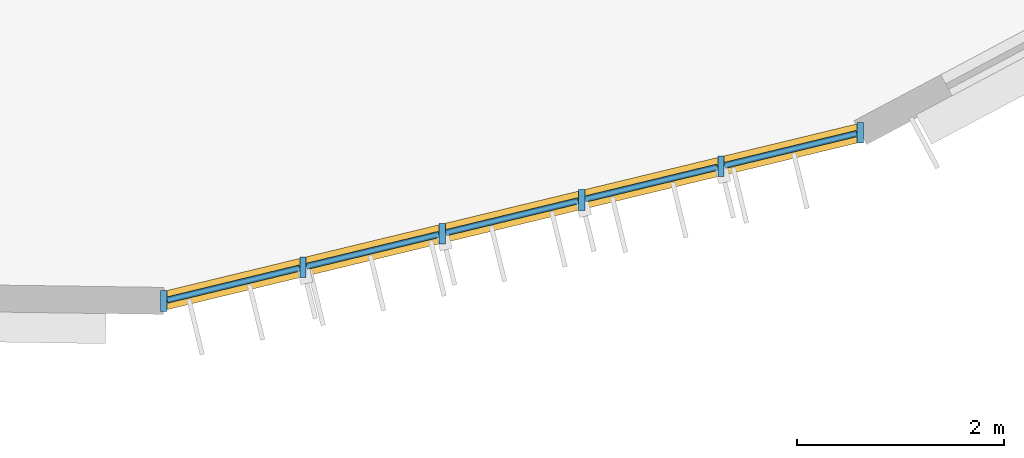
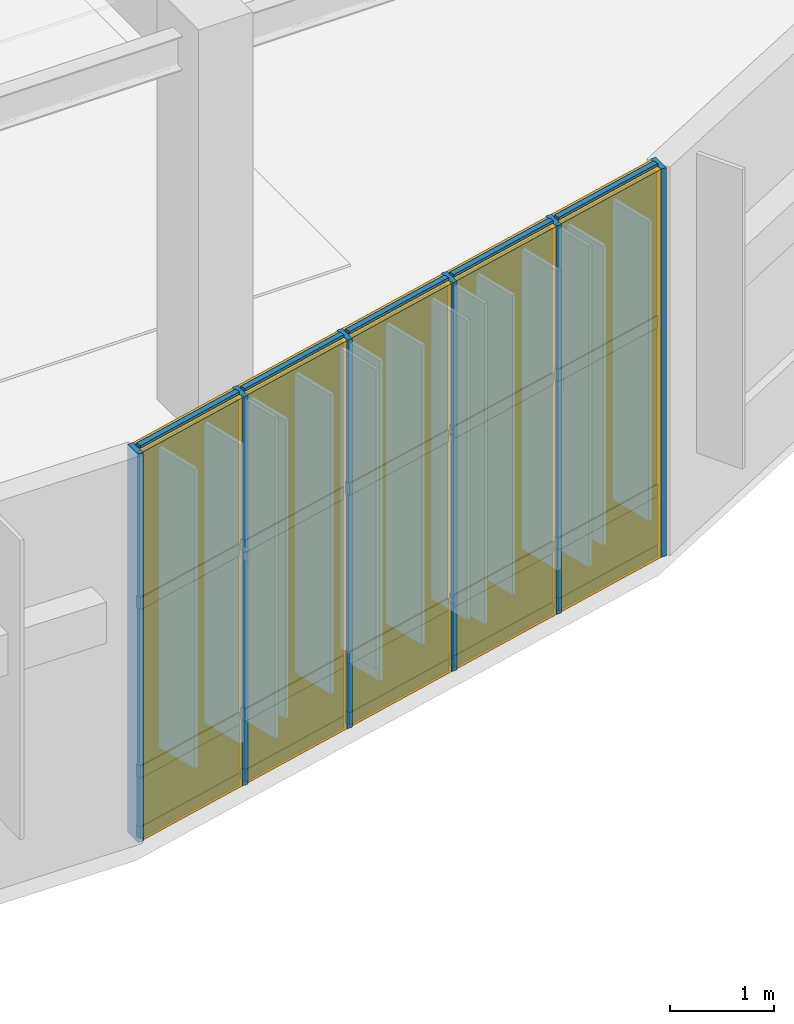
# One storey, part 98 of 122: 26 members, 15 plates, 1 curtain wall.
"""IFC4 building model written with IfcOpenShell, lengths in metres."""

import ifcopenshell
import ifcopenshell.guid

model = None  # the IFC model being written
_history = None  # IfcOwnerHistory: only IFC2X3 demands one
_inside = {}  # id of a spatial element -> (the spatial element, [elements in it])
_under = {}  # id of a project, library or spatial element -> (it, [spatial elements below it])
_declared = {}  # id of a project -> (the project, [libraries it declares])
_typed = {}  # id of a type object -> (the type object, [elements of that type])
_made_of = {}  # id of a material, layer set ... -> (it, [elements and type objects made of it])


def new_model(schema):
    """Start an empty IFC model of exactly this schema.

    Asked for "IFC4X3", IfcOpenShell would pick the latest addendum, in which some entities
    have other attributes; the version numbers below select the first issue.
    IFC2X3 requires an IfcOwnerHistory on every rooted entity: one is made here for all.
    """
    global model, _history
    if schema == "IFC4X3":
        model = ifcopenshell.file(schema_version=(4, 3, 0, 0))
    else:
        model = ifcopenshell.file(schema=schema)
    _inside.clear()
    _under.clear()
    _declared.clear()
    _typed.clear()
    _made_of.clear()
    _history = None
    if model.schema == "IFC2X3":
        org = make("IfcOrganization", Name="unknown")
        user = make(
            "IfcPersonAndOrganization",
            ThePerson=make("IfcPerson", FamilyName="unknown"),
            TheOrganization=org,
        )
        app = make(
            "IfcApplication",
            ApplicationDeveloper=org,
            Version="unknown",
            ApplicationFullName="unknown",
            ApplicationIdentifier="unknown",
        )
        _history = make(
            "IfcOwnerHistory",
            OwningUser=user,
            OwningApplication=app,
            ChangeAction="ADDED",
            CreationDate=0,
        )
    return model


def make(cls, **values):
    """One entity of the class cls with the attributes given. An attribute that is None is left unset."""
    return model.create_entity(
        cls, **{name: value for name, value in values.items() if value is not None}
    )


def rooted(cls, **values):
    """An entity with a GlobalId (a new one), such as an element, a storey or a relation."""
    return make(cls, GlobalId=ifcopenshell.guid.new(), OwnerHistory=_history, **values)


def si_unit(unit_type, name, prefix=None):
    """IfcSIUnit, for example si_unit("LENGTHUNIT", "METRE", prefix="MILLI")."""
    return make("IfcSIUnit", UnitType=unit_type, Prefix=prefix, Name=name)


def assignment(units):
    """IfcUnitAssignment: the units of a project."""
    return None if units is None else make("IfcUnitAssignment", Units=units)


def point(xyz):
    """IfcCartesianPoint."""
    return None if xyz is None else make("IfcCartesianPoint", Coordinates=xyz)


def direction(xyz):
    """IfcDirection."""
    return None if xyz is None else make("IfcDirection", DirectionRatios=xyz)


def frame(location, z_axis=None, x_axis=None):
    """IfcAxis2Placement3D, a coordinate frame: its origin and axes. An axis left out is left unset."""
    return make(
        "IfcAxis2Placement3D",
        Location=point(location),
        Axis=direction(z_axis),
        RefDirection=direction(x_axis),
    )


def frame_2d(location, x_axis=None):
    """IfcAxis2Placement2D, a coordinate frame in the plane: its origin and x axis."""
    return make(
        "IfcAxis2Placement2D", Location=point(location), RefDirection=direction(x_axis)
    )


def origin():
    """The frame at (0, 0, 0) with its axes left unset."""
    return frame((0.0, 0.0, 0.0))


def origin_2d():
    """The frame at (0, 0) in the plane with its x axis left unset."""
    return frame_2d((0.0, 0.0))


def place(relative_to, where):
    """IfcLocalPlacement: puts the frame where relative to a parent placement (None: the world)."""
    return make(
        "IfcLocalPlacement", PlacementRelTo=relative_to, RelativePlacement=where
    )


def context(
    kind, dimensions, precision=None, world=None, true_north=None, identifier=None
):
    """IfcGeometricRepresentationContext, for example the 3D "Model" context."""
    return make(
        "IfcGeometricRepresentationContext",
        ContextIdentifier=identifier,
        ContextType=kind,
        CoordinateSpaceDimension=dimensions,
        Precision=precision,
        WorldCoordinateSystem=world,
        TrueNorth=true_north,
    )


def subcontext(parent, identifier, kind, view, scale=None):
    """IfcGeometricRepresentationSubContext, for example "Body" below "Model"."""
    return make(
        "IfcGeometricRepresentationSubContext",
        ContextIdentifier=identifier,
        ContextType=kind,
        ParentContext=parent,
        TargetScale=scale,
        TargetView=view,
    )


def project(units=None, contexts=None):
    """IfcProject with its units and contexts."""
    return rooted(
        "IfcProject",
        Name="project",
        RepresentationContexts=contexts,
        UnitsInContext=assignment(units),
    )


def spatial(cls, under=None, at=None, **own):
    """A site, building, storey or space (cls), placed at a placement, below another one or the project."""
    s = rooted(cls, ObjectPlacement=at, **own)
    if under is not None:
        _under.setdefault(under.id(), (under, []))[1].append(s)
    return s


def profile(cls, at=None, kind="AREA", **sizes):
    """A parametric profile (cls). Its sizes go by their IFC names, for example OverallWidth=200.0."""
    return make(cls, ProfileType=kind, Position=at, **sizes)


def rectangle(**sizes):
    """IfcRectangleProfileDef."""
    return profile("IfcRectangleProfileDef", **sizes)


def extrude(swept, where, along, depth):
    """IfcExtrudedAreaSolid: the profile swept, set in the frame where, extruded along a direction by depth."""
    return make(
        "IfcExtrudedAreaSolid",
        SweptArea=swept,
        Position=where,
        ExtrudedDirection=direction(along),
        Depth=depth,
    )


def shape(context_of_items, identifier, shape_type, items):
    """IfcShapeRepresentation: the items that make up one representation, for example the "Body"."""
    return make(
        "IfcShapeRepresentation",
        ContextOfItems=context_of_items,
        RepresentationIdentifier=identifier,
        RepresentationType=shape_type,
        Items=items,
    )


def material(Name=None, Category=None):
    """IfcMaterial."""
    return make("IfcMaterial", Name=Name, Category=Category)


def layer(
    of_material, thickness, ventilated=None, Name=None, Category=None, Priority=None
):
    """IfcMaterialLayer: one layer of a wall or slab, of a material (None: an air gap)."""
    return make(
        "IfcMaterialLayer",
        Material=of_material,
        LayerThickness=thickness,
        IsVentilated=ventilated,
        Name=Name,
        Category=Category,
        Priority=Priority,
    )


def layer_set(layers, Name=None):
    """IfcMaterialLayerSet."""
    return make("IfcMaterialLayerSet", MaterialLayers=layers, LayerSetName=Name)


def material_profile(
    of_material, cross_section, Name=None, Category=None, Priority=None
):
    """IfcMaterialProfile: a cross section and its material."""
    return make(
        "IfcMaterialProfile",
        Name=Name,
        Material=of_material,
        Profile=cross_section,
        Priority=Priority,
        Category=Category,
    )


def profile_set(profiles, Name=None, composite=None):
    """IfcMaterialProfileSet."""
    return make(
        "IfcMaterialProfileSet",
        Name=Name,
        MaterialProfiles=profiles,
        CompositeProfile=composite,
    )


def made_of(thing, what):
    """Note that an element or type object is made of a material, layer set ...; save() writes the relation."""
    if what is not None:
        _made_of.setdefault(what.id(), (what, []))[1].append(thing)
    return thing


def type_object(cls, material=None, **own):
    """A type object (cls), such as IfcWallType, which elements share."""
    return made_of(rooted(cls, **own), material)


def element(
    cls,
    number,
    at=None,
    inside=None,
    cuts=None,
    type_object=None,
    material=None,
    context=None,
    identifier="Body",
    shape_type=None,
    held_by="IfcProductDefinitionShape",
    body=None,
    shapes=None,
    **own,
):
    """One element of the class cls, such as IfcWall. Its Tag is "e" and its number.

    at: its placement. inside: the storey or other place that contains it. cuts: it is an
    opening in that element (IfcRelVoidsElement). A single representation is given by context,
    identifier, shape_type and body (its items); several are given by shapes. held_by: the class
    of the entity that holds the representations. save() writes the other relations.
    """
    e = rooted(cls, Tag="e%d" % number, ObjectPlacement=at, **own)
    if body is not None:
        shapes = [shape(context, identifier, shape_type, body)]
    if shapes is not None:
        e.Representation = make(held_by, Representations=shapes)
    if inside is not None:
        _inside.setdefault(inside.id(), (inside, []))[1].append(e)
    if cuts is not None:
        rooted(
            "IfcRelVoidsElement", RelatingBuildingElement=cuts, RelatedOpeningElement=e
        )
    if type_object is not None:
        _typed.setdefault(type_object.id(), (type_object, []))[1].append(e)
    return made_of(e, material)


def aggregate(whole, parts):
    """IfcRelAggregates: a whole, such as a stair, and the parts it consists of."""
    return rooted("IfcRelAggregates", RelatingObject=whole, RelatedObjects=parts)


def save(model, path):
    """Write the relations noted so far, then the file.

    IfcRelAggregates (storeys below a building ...), IfcRelContainedInSpatialStructure (elements
    in a storey), IfcRelDefinesByType, IfcRelAssociatesMaterial and IfcRelDeclares: one each for
    every whole, place, type object, material and project.
    """
    for whole, parts in _under.values():
        aggregate(whole, parts)
    for where, things in _inside.values():
        rooted(
            "IfcRelContainedInSpatialStructure",
            RelatedElements=things,
            RelatingStructure=where,
        )
    for kind, things in _typed.values():
        rooted("IfcRelDefinesByType", RelatedObjects=things, RelatingType=kind)
    for what, things in _made_of.values():
        rooted("IfcRelAssociatesMaterial", RelatedObjects=things, RelatingMaterial=what)
    for by, libraries in _declared.values():
        rooted("IfcRelDeclares", RelatingContext=by, RelatedDefinitions=libraries)
    model.write(path)


model = new_model("IFC4")

# Units and contexts
model_context = context("Model", 3, precision=1e-05, world=origin(), true_north=direction((0.0, 1.0)))
body_context = subcontext(model_context, "Body", "Model", "MODEL_VIEW")
ifc_project = project(units=[si_unit("LENGTHUNIT", "METRE"), si_unit("AREAUNIT", "SQUARE_METRE"), si_unit("VOLUMEUNIT", "CUBIC_METRE"), si_unit("PLANEANGLEUNIT", "RADIAN"), si_unit("MASSUNIT", "GRAM", prefix="KILO")], contexts=[model_context])

# Member
ifc_material_1 = material(Name="Anodised Bronze Aluminium 6063-T6", Category="aluminium")
ifc_material_profile_1 = material_profile(ifc_material_1, rectangle(XDim=0.06005859375, YDim=0.199951171875, at=origin_2d()), Name="ALU MULLION 60x200")
ifc_profile_set_1 = profile_set([ifc_material_profile_1], Name="Anodised Bronze Aluminium 6063-T6")
member_type_1 = type_object("IfcMemberType", Name="Curtain-Wall Standard Mullion 60x200", PredefinedType="MULLION", material=ifc_profile_set_1)
site_placement = place(None, origin())
building_placement = place(site_placement, origin())
storey_placement = place(building_placement, origin())
member_1_placement = place(storey_placement, frame((138.068603515625, 17.171142578125, 0.0), z_axis=(0.0, 0.0, 1.0), x_axis=(1.0, 0.0, 0.0)))
member_1 = element("IfcMember", 1, at=member_1_placement, type_object=member_type_1, Name="Mullion CWM-03 CW-V4-DRUM-L00-S03-M01", PredefinedType="MULLION", context=body_context, shape_type="SweptSolid", body=[
    extrude(rectangle(XDim=0.06005859375, YDim=0.199951171875, at=origin_2d()), origin(), (0.0, 0.0, 1.0), 4.5400390625),
])

member_2_placement = place(storey_placement, frame((139.412109375, 17.49560546875, 0.0), z_axis=(0.0, 0.0, 1.0), x_axis=(1.0, 0.0, 0.0)))
member_2 = element("IfcMember", 2, at=member_2_placement, type_object=member_type_1, Name="Mullion CWM-03 CW-V4-DRUM-L00-S03-M02", PredefinedType="MULLION", context=body_context, shape_type="SweptSolid", body=[
    extrude(rectangle(XDim=0.06005859375, YDim=0.199951171875, at=origin_2d()), origin(), (0.0, 0.0, 1.0), 4.5400390625),
])

member_3_placement = place(storey_placement, frame((140.75537109375, 17.81982421875, 0.0), z_axis=(0.0, 0.0, 1.0), x_axis=(1.0, 0.0, 0.0)))
member_3 = element("IfcMember", 3, at=member_3_placement, type_object=member_type_1, Name="Mullion CWM-03 CW-V4-DRUM-L00-S03-M03", PredefinedType="MULLION", context=body_context, shape_type="SweptSolid", body=[
    extrude(rectangle(XDim=0.06005859375, YDim=0.199951171875, at=origin_2d()), origin(), (0.0, 0.0, 1.0), 4.5400390625),
])

member_4_placement = place(storey_placement, frame((142.098876953125, 18.144287109375, 0.0), z_axis=(0.0, 0.0, 1.0), x_axis=(1.0, 0.0, 0.0)))
member_4 = element("IfcMember", 4, at=member_4_placement, type_object=member_type_1, Name="Mullion CWM-03 CW-V4-DRUM-L00-S03-M04", PredefinedType="MULLION", context=body_context, shape_type="SweptSolid", body=[
    extrude(rectangle(XDim=0.06005859375, YDim=0.199951171875, at=origin_2d()), origin(), (0.0, 0.0, 1.0), 4.5400390625),
])

member_5_placement = place(storey_placement, frame((143.4423828125, 18.46875, 0.0), z_axis=(0.0, 0.0, 1.0), x_axis=(1.0, 0.0, 0.0)))
member_5 = element("IfcMember", 5, at=member_5_placement, type_object=member_type_1, Name="Mullion CWM-03 CW-V4-DRUM-L00-S03-M05", PredefinedType="MULLION", context=body_context, shape_type="SweptSolid", body=[
    extrude(rectangle(XDim=0.06005859375, YDim=0.199951171875, at=origin_2d()), origin(), (0.0, 0.0, 1.0), 4.5400390625),
])

member_6_placement = place(storey_placement, frame((144.785888671875, 18.793212890625, 0.0), z_axis=(0.0, 0.0, 1.0), x_axis=(1.0, 0.0, 0.0)))
member_6 = element("IfcMember", 6, at=member_6_placement, type_object=member_type_1, Name="Mullion CWM-03 CW-V4-DRUM-L00-S03-M06", PredefinedType="MULLION", context=body_context, shape_type="SweptSolid", body=[
    extrude(rectangle(XDim=0.06005859375, YDim=0.199951171875, at=origin_2d()), origin(), (0.0, 0.0, 1.0), 4.5400390625),
])

ifc_material_profile_2 = material_profile(ifc_material_1, rectangle(XDim=0.06005859375, YDim=0.139892578125, at=origin_2d()), Name="ALU TRANSOM 60x140")
ifc_profile_set_2 = profile_set([ifc_material_profile_2], Name="Anodised Bronze Aluminium 6063-T6")
member_type_2 = type_object("IfcMemberType", Name="Curtain-Wall Transom 60x140", PredefinedType="USERDEFINED", material=ifc_profile_set_2)
member_7_placement = place(storey_placement, frame((138.1025390625, 17.17919921875, 0.0400390625), z_axis=(0.97203828701, 0.234822419259, 0.0), x_axis=(-0.234822419259, 0.97203828701, 0.0)))
member_7 = element("IfcMember", 7, at=member_7_placement, type_object=member_type_2, Name="Transom CWT-01 CW-V4-DRUM-L00-S03-T01.1", ObjectType="TRANSOM", PredefinedType="USERDEFINED", context=body_context, shape_type="SweptSolid", body=[
    extrude(rectangle(XDim=0.06005859375, YDim=0.139892578125, at=origin_2d()), origin(), (0.0, 0.0, 1.0), 1.31201171875),
])

member_8_placement = place(storey_placement, frame((138.1025390625, 17.17919921875, 0.75), z_axis=(0.97203828701, 0.234822419259, 0.0), x_axis=(-0.234822419259, 0.97203828701, 0.0)))
member_8 = element("IfcMember", 8, at=member_8_placement, type_object=member_type_2, Name="Transom CWT-01 CW-V4-DRUM-L00-S03-T01.2", ObjectType="TRANSOM", PredefinedType="USERDEFINED", context=body_context, shape_type="SweptSolid", body=[
    extrude(rectangle(XDim=0.06005859375, YDim=0.139892578125, at=origin_2d()), origin(), (0.0, 0.0, 1.0), 1.31201171875),
])

member_9_placement = place(storey_placement, frame((138.1025390625, 17.17919921875, 2.720703125), z_axis=(0.97203828701, 0.234822419259, 0.0), x_axis=(-0.234822419259, 0.97203828701, 0.0)))
member_9 = element("IfcMember", 9, at=member_9_placement, type_object=member_type_2, Name="Transom CWT-01 CW-V4-DRUM-L00-S03-T01.3", ObjectType="TRANSOM", PredefinedType="USERDEFINED", context=body_context, shape_type="SweptSolid", body=[
    extrude(rectangle(XDim=0.06005859375, YDim=0.139892578125, at=origin_2d()), origin(), (0.0, 0.0, 1.0), 1.31201171875),
])

member_10_placement = place(storey_placement, frame((138.1025390625, 17.17919921875, 4.5), z_axis=(0.97203828701, 0.234822419259, 0.0), x_axis=(-0.234822419259, 0.97203828701, 0.0)))
member_10 = element("IfcMember", 10, at=member_10_placement, type_object=member_type_2, Name="Transom CWT-01 CW-V4-DRUM-L00-S03-T01.4", ObjectType="TRANSOM", PredefinedType="USERDEFINED", context=body_context, shape_type="SweptSolid", body=[
    extrude(rectangle(XDim=0.06005859375, YDim=0.139892578125, at=origin_2d()), origin(), (0.0, 0.0, 1.0), 1.31201171875),
])

member_11_placement = place(storey_placement, frame((139.446044921875, 17.503662109375, 0.0400390625), z_axis=(0.97203828701, 0.234822419259, 0.0), x_axis=(-0.234822419259, 0.97203828701, 0.0)))
member_11 = element("IfcMember", 11, at=member_11_placement, type_object=member_type_2, Name="Transom CWT-01 CW-V4-DRUM-L00-S03-T02.1", ObjectType="TRANSOM", PredefinedType="USERDEFINED", context=body_context, shape_type="SweptSolid", body=[
    extrude(rectangle(XDim=0.06005859375, YDim=0.139892578125, at=origin_2d()), origin(), (0.0, 0.0, 1.0), 1.31201171875),
])

member_12_placement = place(storey_placement, frame((139.446044921875, 17.503662109375, 0.75), z_axis=(0.97203828701, 0.234822419259, 0.0), x_axis=(-0.234822419259, 0.97203828701, 0.0)))
member_12 = element("IfcMember", 12, at=member_12_placement, type_object=member_type_2, Name="Transom CWT-01 CW-V4-DRUM-L00-S03-T02.2", ObjectType="TRANSOM", PredefinedType="USERDEFINED", context=body_context, shape_type="SweptSolid", body=[
    extrude(rectangle(XDim=0.06005859375, YDim=0.139892578125, at=origin_2d()), origin(), (0.0, 0.0, 1.0), 1.31201171875),
])

member_13_placement = place(storey_placement, frame((139.446044921875, 17.503662109375, 2.720703125), z_axis=(0.97203828701, 0.234822419259, 0.0), x_axis=(-0.234822419259, 0.97203828701, 0.0)))
member_13 = element("IfcMember", 13, at=member_13_placement, type_object=member_type_2, Name="Transom CWT-01 CW-V4-DRUM-L00-S03-T02.3", ObjectType="TRANSOM", PredefinedType="USERDEFINED", context=body_context, shape_type="SweptSolid", body=[
    extrude(rectangle(XDim=0.06005859375, YDim=0.139892578125, at=origin_2d()), origin(), (0.0, 0.0, 1.0), 1.31201171875),
])

member_14_placement = place(storey_placement, frame((139.446044921875, 17.503662109375, 4.5), z_axis=(0.97203828701, 0.234822419259, 0.0), x_axis=(-0.234822419259, 0.97203828701, 0.0)))
member_14 = element("IfcMember", 14, at=member_14_placement, type_object=member_type_2, Name="Transom CWT-01 CW-V4-DRUM-L00-S03-T02.4", ObjectType="TRANSOM", PredefinedType="USERDEFINED", context=body_context, shape_type="SweptSolid", body=[
    extrude(rectangle(XDim=0.06005859375, YDim=0.139892578125, at=origin_2d()), origin(), (0.0, 0.0, 1.0), 1.31201171875),
])

member_15_placement = place(storey_placement, frame((140.789306640625, 17.828125, 0.0400390625), z_axis=(0.972090987597, 0.234604159878, 0.0), x_axis=(-0.234604159878, 0.972090987597, 0.0)))
member_15 = element("IfcMember", 15, at=member_15_placement, type_object=member_type_2, Name="Transom CWT-01 CW-V4-DRUM-L00-S03-T03.1", ObjectType="TRANSOM", PredefinedType="USERDEFINED", context=body_context, shape_type="SweptSolid", body=[
    extrude(rectangle(XDim=0.06005859375, YDim=0.139892578125, at=origin_2d()), origin(), (0.0, 0.0, 1.0), 1.312255859375),
])

member_16_placement = place(storey_placement, frame((140.789306640625, 17.828125, 0.75), z_axis=(0.972090987597, 0.234604159878, 0.0), x_axis=(-0.234604159878, 0.972090987597, 0.0)))
member_16 = element("IfcMember", 16, at=member_16_placement, type_object=member_type_2, Name="Transom CWT-01 CW-V4-DRUM-L00-S03-T03.2", ObjectType="TRANSOM", PredefinedType="USERDEFINED", context=body_context, shape_type="SweptSolid", body=[
    extrude(rectangle(XDim=0.06005859375, YDim=0.139892578125, at=origin_2d()), origin(), (0.0, 0.0, 1.0), 1.312255859375),
])

member_17_placement = place(storey_placement, frame((140.789306640625, 17.828125, 2.720703125), z_axis=(0.972090987597, 0.234604159878, 0.0), x_axis=(-0.234604159878, 0.972090987597, 0.0)))
member_17 = element("IfcMember", 17, at=member_17_placement, type_object=member_type_2, Name="Transom CWT-01 CW-V4-DRUM-L00-S03-T03.3", ObjectType="TRANSOM", PredefinedType="USERDEFINED", context=body_context, shape_type="SweptSolid", body=[
    extrude(rectangle(XDim=0.06005859375, YDim=0.139892578125, at=origin_2d()), origin(), (0.0, 0.0, 1.0), 1.312255859375),
])

member_18_placement = place(storey_placement, frame((140.789306640625, 17.828125, 4.5), z_axis=(0.972090987597, 0.234604159878, 0.0), x_axis=(-0.234604159878, 0.972090987597, 0.0)))
member_18 = element("IfcMember", 18, at=member_18_placement, type_object=member_type_2, Name="Transom CWT-01 CW-V4-DRUM-L00-S03-T03.4", ObjectType="TRANSOM", PredefinedType="USERDEFINED", context=body_context, shape_type="SweptSolid", body=[
    extrude(rectangle(XDim=0.06005859375, YDim=0.139892578125, at=origin_2d()), origin(), (0.0, 0.0, 1.0), 1.312255859375),
])

member_19_placement = place(storey_placement, frame((142.1328125, 18.152587890625, 0.0400390625), z_axis=(0.972080745006, 0.234646596373, 0.0), x_axis=(-0.234646596373, 0.972080745006, 0.0)))
member_19 = element("IfcMember", 19, at=member_19_placement, type_object=member_type_2, Name="Transom CWT-01 CW-V4-DRUM-L00-S03-T04.1", ObjectType="TRANSOM", PredefinedType="USERDEFINED", context=body_context, shape_type="SweptSolid", body=[
    extrude(rectangle(XDim=0.06005859375, YDim=0.139892578125, at=origin_2d()), origin(), (0.0, 0.0, 1.0), 1.31201171875),
])

member_20_placement = place(storey_placement, frame((142.1328125, 18.152587890625, 0.75), z_axis=(0.972080745006, 0.234646596373, 0.0), x_axis=(-0.234646596373, 0.972080745006, 0.0)))
member_20 = element("IfcMember", 20, at=member_20_placement, type_object=member_type_2, Name="Transom CWT-01 CW-V4-DRUM-L00-S03-T04.2", ObjectType="TRANSOM", PredefinedType="USERDEFINED", context=body_context, shape_type="SweptSolid", body=[
    extrude(rectangle(XDim=0.06005859375, YDim=0.139892578125, at=origin_2d()), origin(), (0.0, 0.0, 1.0), 1.31201171875),
])

member_21_placement = place(storey_placement, frame((142.1328125, 18.152587890625, 2.720703125), z_axis=(0.972080745006, 0.234646596373, 0.0), x_axis=(-0.234646596373, 0.972080745006, 0.0)))
member_21 = element("IfcMember", 21, at=member_21_placement, type_object=member_type_2, Name="Transom CWT-01 CW-V4-DRUM-L00-S03-T04.3", ObjectType="TRANSOM", PredefinedType="USERDEFINED", context=body_context, shape_type="SweptSolid", body=[
    extrude(rectangle(XDim=0.06005859375, YDim=0.139892578125, at=origin_2d()), origin(), (0.0, 0.0, 1.0), 1.31201171875),
])

member_22_placement = place(storey_placement, frame((142.1328125, 18.152587890625, 4.5), z_axis=(0.972080745006, 0.234646596373, 0.0), x_axis=(-0.234646596373, 0.972080745006, 0.0)))
member_22 = element("IfcMember", 22, at=member_22_placement, type_object=member_type_2, Name="Transom CWT-01 CW-V4-DRUM-L00-S03-T04.4", ObjectType="TRANSOM", PredefinedType="USERDEFINED", context=body_context, shape_type="SweptSolid", body=[
    extrude(rectangle(XDim=0.06005859375, YDim=0.139892578125, at=origin_2d()), origin(), (0.0, 0.0, 1.0), 1.31201171875),
])

member_23_placement = place(storey_placement, frame((143.476318359375, 18.476806640625, 0.0400390625), z_axis=(0.97203828701, 0.234822419259, 0.0), x_axis=(-0.234822419259, 0.97203828701, 0.0)))
member_23 = element("IfcMember", 23, at=member_23_placement, type_object=member_type_2, Name="Transom CWT-01 CW-V4-DRUM-L00-S03-T05.1", ObjectType="TRANSOM", PredefinedType="USERDEFINED", context=body_context, shape_type="SweptSolid", body=[
    extrude(rectangle(XDim=0.06005859375, YDim=0.139892578125, at=origin_2d()), origin(), (0.0, 0.0, 1.0), 1.31201171875),
])

member_24_placement = place(storey_placement, frame((143.476318359375, 18.476806640625, 0.75), z_axis=(0.97203828701, 0.234822419259, 0.0), x_axis=(-0.234822419259, 0.97203828701, 0.0)))
member_24 = element("IfcMember", 24, at=member_24_placement, type_object=member_type_2, Name="Transom CWT-01 CW-V4-DRUM-L00-S03-T05.2", ObjectType="TRANSOM", PredefinedType="USERDEFINED", context=body_context, shape_type="SweptSolid", body=[
    extrude(rectangle(XDim=0.06005859375, YDim=0.139892578125, at=origin_2d()), origin(), (0.0, 0.0, 1.0), 1.31201171875),
])

member_25_placement = place(storey_placement, frame((143.476318359375, 18.476806640625, 2.720703125), z_axis=(0.97203828701, 0.234822419259, 0.0), x_axis=(-0.234822419259, 0.97203828701, 0.0)))
member_25 = element("IfcMember", 25, at=member_25_placement, type_object=member_type_2, Name="Transom CWT-01 CW-V4-DRUM-L00-S03-T05.3", ObjectType="TRANSOM", PredefinedType="USERDEFINED", context=body_context, shape_type="SweptSolid", body=[
    extrude(rectangle(XDim=0.06005859375, YDim=0.139892578125, at=origin_2d()), origin(), (0.0, 0.0, 1.0), 1.31201171875),
])

member_26_placement = place(storey_placement, frame((143.476318359375, 18.476806640625, 4.5), z_axis=(0.97203828701, 0.234822419259, 0.0), x_axis=(-0.234822419259, 0.97203828701, 0.0)))
member_26 = element("IfcMember", 26, at=member_26_placement, type_object=member_type_2, Name="Transom CWT-01 CW-V4-DRUM-L00-S03-T05.4", ObjectType="TRANSOM", PredefinedType="USERDEFINED", context=body_context, shape_type="SweptSolid", body=[
    extrude(rectangle(XDim=0.06005859375, YDim=0.139892578125, at=origin_2d()), origin(), (0.0, 0.0, 1.0), 1.31201171875),
])

# Plate
ifc_material_2 = material(Name="Insulated Bronze Aluminium Spandrel Panel", Category="aluminium")
ifc_layer_1 = layer(ifc_material_2, 0.050048828125, Name="Insulated Bronze Aluminium Spandrel Panel")
ifc_layer_set_1 = layer_set([ifc_layer_1], Name="Insulated Bronze Aluminium Spandrel Panel")
plate_type_1 = type_object("IfcPlateType", Name="Insulated Anodised Aluminium Spandrel Cassette 50", PredefinedType="CURTAIN_PANEL", material=ifc_layer_set_1)
plate_1_placement = place(storey_placement, frame((138.740234375, 17.333251953125, 0.070068359375), z_axis=(0.0, 0.0, 1.0), x_axis=(0.972063098492, 0.234719689311, 0.0)))
plate_1 = element("IfcPlate", 27, at=plate_1_placement, type_object=plate_type_1, Name="Curtain Panel CWP-03 CW-V4-DRUM-L00-S03-P01.1", PredefinedType="CURTAIN_PANEL", context=body_context, shape_type="SweptSolid", body=[
    extrude(rectangle(XDim=1.31201171875, YDim=0.050048828125, at=origin_2d()), origin(), (0.0, 0.0, 1.0), 0.64990234375),
])

plate_2_placement = place(storey_placement, frame((140.083740234375, 17.65771484375, 0.070068359375), z_axis=(0.0, 0.0, 1.0), x_axis=(0.972063098492, 0.234719689311, 0.0)))
plate_2 = element("IfcPlate", 28, at=plate_2_placement, type_object=plate_type_1, Name="Curtain Panel CWP-03 CW-V4-DRUM-L00-S03-P02.1", PredefinedType="CURTAIN_PANEL", context=body_context, shape_type="SweptSolid", body=[
    extrude(rectangle(XDim=1.31201171875, YDim=0.050048828125, at=origin_2d()), origin(), (0.0, 0.0, 1.0), 0.64990234375),
])

plate_3_placement = place(storey_placement, frame((141.427001953125, 17.982177734375, 0.070068359375), z_axis=(0.0, 0.0, 1.0), x_axis=(0.972063098492, 0.234719689311, 0.0)))
plate_3 = element("IfcPlate", 29, at=plate_3_placement, type_object=plate_type_1, Name="Curtain Panel CWP-03 CW-V4-DRUM-L00-S03-P03.1", PredefinedType="CURTAIN_PANEL", context=body_context, shape_type="SweptSolid", body=[
    extrude(rectangle(XDim=1.31201171875, YDim=0.050048828125, at=origin_2d()), origin(), (0.0, 0.0, 1.0), 0.64990234375),
])

plate_4_placement = place(storey_placement, frame((142.7705078125, 18.306396484375, 0.070068359375), z_axis=(0.0, 0.0, 1.0), x_axis=(0.972063098492, 0.234719689311, 0.0)))
plate_4 = element("IfcPlate", 30, at=plate_4_placement, type_object=plate_type_1, Name="Curtain Panel CWP-03 CW-V4-DRUM-L00-S03-P04.1", PredefinedType="CURTAIN_PANEL", context=body_context, shape_type="SweptSolid", body=[
    extrude(rectangle(XDim=1.31201171875, YDim=0.050048828125, at=origin_2d()), origin(), (0.0, 0.0, 1.0), 0.64990234375),
])

plate_5_placement = place(storey_placement, frame((144.114013671875, 18.630859375, 0.070068359375), z_axis=(0.0, 0.0, 1.0), x_axis=(0.972063098492, 0.234719689311, 0.0)))
plate_5 = element("IfcPlate", 31, at=plate_5_placement, type_object=plate_type_1, Name="Curtain Panel CWP-03 CW-V4-DRUM-L00-S03-P05.1", PredefinedType="CURTAIN_PANEL", context=body_context, shape_type="SweptSolid", body=[
    extrude(rectangle(XDim=1.31201171875, YDim=0.050048828125, at=origin_2d()), origin(), (0.0, 0.0, 1.0), 0.64990234375),
])

ifc_material_3 = material(Name="Solar-Control Tempered Double Glazing", Category="glass")
ifc_layer_2 = layer(ifc_material_3, 0.0380859375, Name="Solar-Control Tempered Double Glazing")
ifc_layer_set_2 = layer_set([ifc_layer_2], Name="Solar-Control Tempered Double Glazing")
plate_type_2 = type_object("IfcPlateType", Name="Solar-Control Vision Glazing Unit 38", PredefinedType="CURTAIN_PANEL", material=ifc_layer_set_2)
plate_6_placement = place(storey_placement, frame((138.740234375, 17.333251953125, 0.77978515625), z_axis=(0.0, 0.0, 1.0), x_axis=(0.972063098492, 0.234719689311, 0.0)))
plate_6 = element("IfcPlate", 32, at=plate_6_placement, type_object=plate_type_2, Name="Curtain Panel CWP-02 CW-V4-DRUM-L00-S03-P01.2", PredefinedType="CURTAIN_PANEL", context=body_context, shape_type="SweptSolid", body=[
    extrude(rectangle(XDim=1.31201171875, YDim=0.0380859375, at=origin_2d()), origin(), (0.0, 0.0, 1.0), 1.910888671875),
])

plate_7_placement = place(storey_placement, frame((138.740234375, 17.333251953125, 2.750732421875), z_axis=(0.0, 0.0, 1.0), x_axis=(0.972063098492, 0.234719689311, 0.0)))
plate_7 = element("IfcPlate", 33, at=plate_7_placement, type_object=plate_type_2, Name="Curtain Panel CWP-02 CW-V4-DRUM-L00-S03-P01.3", PredefinedType="CURTAIN_PANEL", context=body_context, shape_type="SweptSolid", body=[
    extrude(rectangle(XDim=1.31201171875, YDim=0.0380859375, at=origin_2d()), origin(), (0.0, 0.0, 1.0), 1.71923828125),
])

plate_8_placement = place(storey_placement, frame((140.083740234375, 17.65771484375, 0.77978515625), z_axis=(0.0, 0.0, 1.0), x_axis=(0.972063098492, 0.234719689311, 0.0)))
plate_8 = element("IfcPlate", 34, at=plate_8_placement, type_object=plate_type_2, Name="Curtain Panel CWP-02 CW-V4-DRUM-L00-S03-P02.2", PredefinedType="CURTAIN_PANEL", context=body_context, shape_type="SweptSolid", body=[
    extrude(rectangle(XDim=1.31201171875, YDim=0.0380859375, at=origin_2d()), origin(), (0.0, 0.0, 1.0), 1.910888671875),
])

plate_9_placement = place(storey_placement, frame((140.083740234375, 17.65771484375, 2.750732421875), z_axis=(0.0, 0.0, 1.0), x_axis=(0.972063098492, 0.234719689311, 0.0)))
plate_9 = element("IfcPlate", 35, at=plate_9_placement, type_object=plate_type_2, Name="Curtain Panel CWP-02 CW-V4-DRUM-L00-S03-P02.3", PredefinedType="CURTAIN_PANEL", context=body_context, shape_type="SweptSolid", body=[
    extrude(rectangle(XDim=1.31201171875, YDim=0.0380859375, at=origin_2d()), origin(), (0.0, 0.0, 1.0), 1.71923828125),
])

plate_10_placement = place(storey_placement, frame((141.427001953125, 17.982177734375, 0.77978515625), z_axis=(0.0, 0.0, 1.0), x_axis=(0.972063098492, 0.234719689311, 0.0)))
plate_10 = element("IfcPlate", 36, at=plate_10_placement, type_object=plate_type_2, Name="Curtain Panel CWP-02 CW-V4-DRUM-L00-S03-P03.2", PredefinedType="CURTAIN_PANEL", context=body_context, shape_type="SweptSolid", body=[
    extrude(rectangle(XDim=1.31201171875, YDim=0.0380859375, at=origin_2d()), origin(), (0.0, 0.0, 1.0), 1.910888671875),
])

plate_11_placement = place(storey_placement, frame((141.427001953125, 17.982177734375, 2.750732421875), z_axis=(0.0, 0.0, 1.0), x_axis=(0.972063098492, 0.234719689311, 0.0)))
plate_11 = element("IfcPlate", 37, at=plate_11_placement, type_object=plate_type_2, Name="Curtain Panel CWP-02 CW-V4-DRUM-L00-S03-P03.3", PredefinedType="CURTAIN_PANEL", context=body_context, shape_type="SweptSolid", body=[
    extrude(rectangle(XDim=1.31201171875, YDim=0.0380859375, at=origin_2d()), origin(), (0.0, 0.0, 1.0), 1.71923828125),
])

plate_12_placement = place(storey_placement, frame((142.7705078125, 18.306396484375, 0.77978515625), z_axis=(0.0, 0.0, 1.0), x_axis=(0.972063098492, 0.234719689311, 0.0)))
plate_12 = element("IfcPlate", 38, at=plate_12_placement, type_object=plate_type_2, Name="Curtain Panel CWP-02 CW-V4-DRUM-L00-S03-P04.2", PredefinedType="CURTAIN_PANEL", context=body_context, shape_type="SweptSolid", body=[
    extrude(rectangle(XDim=1.31201171875, YDim=0.0380859375, at=origin_2d()), origin(), (0.0, 0.0, 1.0), 1.910888671875),
])

plate_13_placement = place(storey_placement, frame((142.7705078125, 18.306396484375, 2.750732421875), z_axis=(0.0, 0.0, 1.0), x_axis=(0.972063098492, 0.234719689311, 0.0)))
plate_13 = element("IfcPlate", 39, at=plate_13_placement, type_object=plate_type_2, Name="Curtain Panel CWP-02 CW-V4-DRUM-L00-S03-P04.3", PredefinedType="CURTAIN_PANEL", context=body_context, shape_type="SweptSolid", body=[
    extrude(rectangle(XDim=1.31201171875, YDim=0.0380859375, at=origin_2d()), origin(), (0.0, 0.0, 1.0), 1.71923828125),
])

plate_14_placement = place(storey_placement, frame((144.114013671875, 18.630859375, 0.77978515625), z_axis=(0.0, 0.0, 1.0), x_axis=(0.972063098492, 0.234719689311, 0.0)))
plate_14 = element("IfcPlate", 40, at=plate_14_placement, type_object=plate_type_2, Name="Curtain Panel CWP-02 CW-V4-DRUM-L00-S03-P05.2", PredefinedType="CURTAIN_PANEL", context=body_context, shape_type="SweptSolid", body=[
    extrude(rectangle(XDim=1.31201171875, YDim=0.0380859375, at=origin_2d()), origin(), (0.0, 0.0, 1.0), 1.910888671875),
])

plate_15_placement = place(storey_placement, frame((144.114013671875, 18.630859375, 2.750732421875), z_axis=(0.0, 0.0, 1.0), x_axis=(0.972063098492, 0.234719689311, 0.0)))
plate_15 = element("IfcPlate", 41, at=plate_15_placement, type_object=plate_type_2, Name="Curtain Panel CWP-02 CW-V4-DRUM-L00-S03-P05.3", PredefinedType="CURTAIN_PANEL", context=body_context, shape_type="SweptSolid", body=[
    extrude(rectangle(XDim=1.31201171875, YDim=0.0380859375, at=origin_2d()), origin(), (0.0, 0.0, 1.0), 1.71923828125),
])

# Site, building, storey
site = spatial("IfcSite", under=ifc_project, at=site_placement, CompositionType="ELEMENT")
building = spatial("IfcBuilding", under=site, at=building_placement, Name="Tazoul Stagehouse", CompositionType="ELEMENT")
storey = spatial("IfcBuildingStorey", under=building, at=storey_placement, Name="L00", CompositionType="ELEMENT", Elevation=0.0)

# Curtain wall
curtain_wall_type = type_object("IfcCurtainWallType", Name="Studio Drum Faceted Curtain Wall", PredefinedType="NOTDEFINED", material=ifc_material_1)
curtain_wall_placement = place(storey_placement, frame((138.068603515625, 17.171142578125, 0.0), z_axis=(0.0, 0.0, 1.0), x_axis=(0.972060530269, 0.234730325038, 0.0)))
curtain_wall = element("IfcCurtainWall", 42, at=curtain_wall_placement, inside=storey, type_object=curtain_wall_type, Name="L00 Curtain Wall CW-03 (CW-V4-DRUM-L00-S03)", PredefinedType="NOTDEFINED", context=body_context, shape_type="SweptSolid", body=[
    extrude(rectangle(XDim=6.910400390625, YDim=0.179931640625, at=frame_2d((3.455078125, 0.0))), origin(), (0.0, 0.0, 1.0), 4.5400390625),
])

aggregate(curtain_wall, [member_1, member_2, member_3, member_4, member_5, member_6, member_7, member_8, member_9, member_10, plate_1, plate_6, plate_7, member_11, member_12, member_13, member_14, plate_2, plate_8, plate_9, member_15, member_16, member_17, member_18, plate_3, plate_10, plate_11, member_19, member_20, member_21, member_22, plate_4, plate_12, plate_13, member_23, member_24, member_25, member_26, plate_5, plate_14, plate_15])

save(model, "model.ifc")
